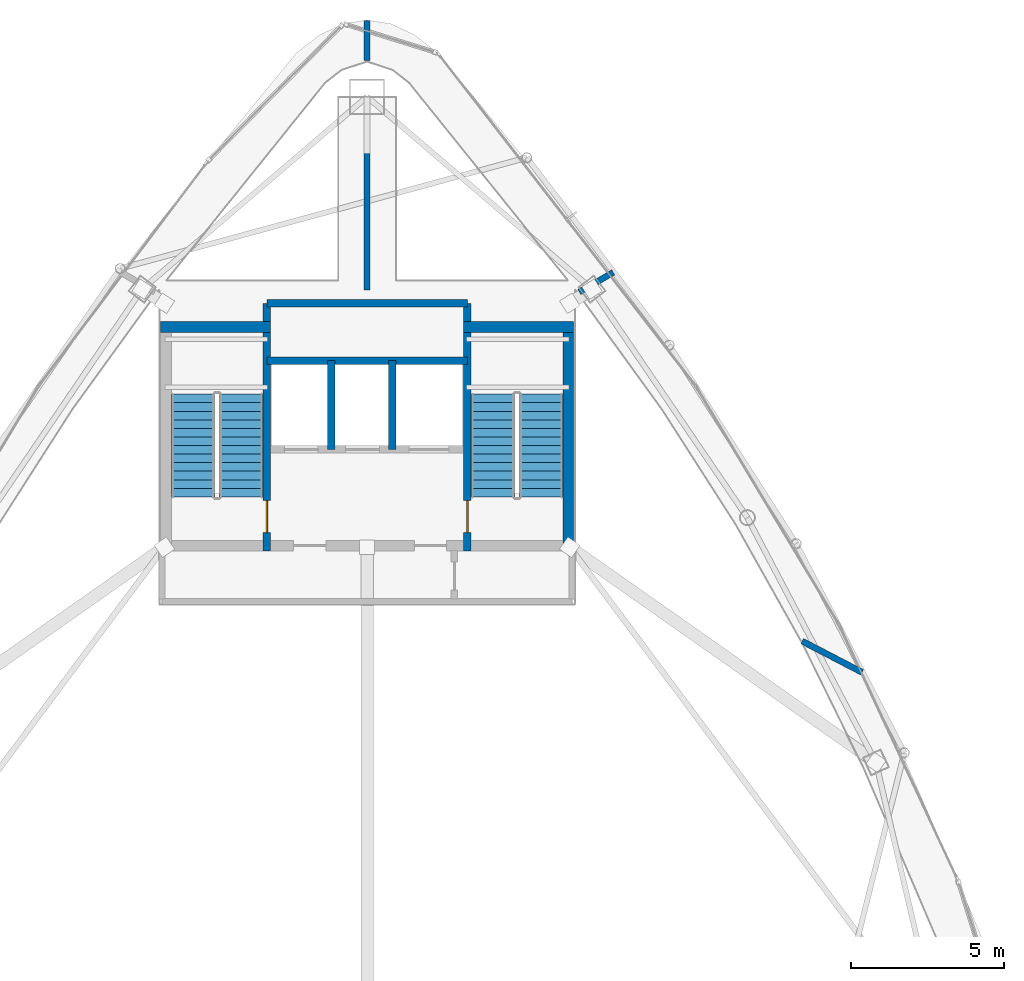
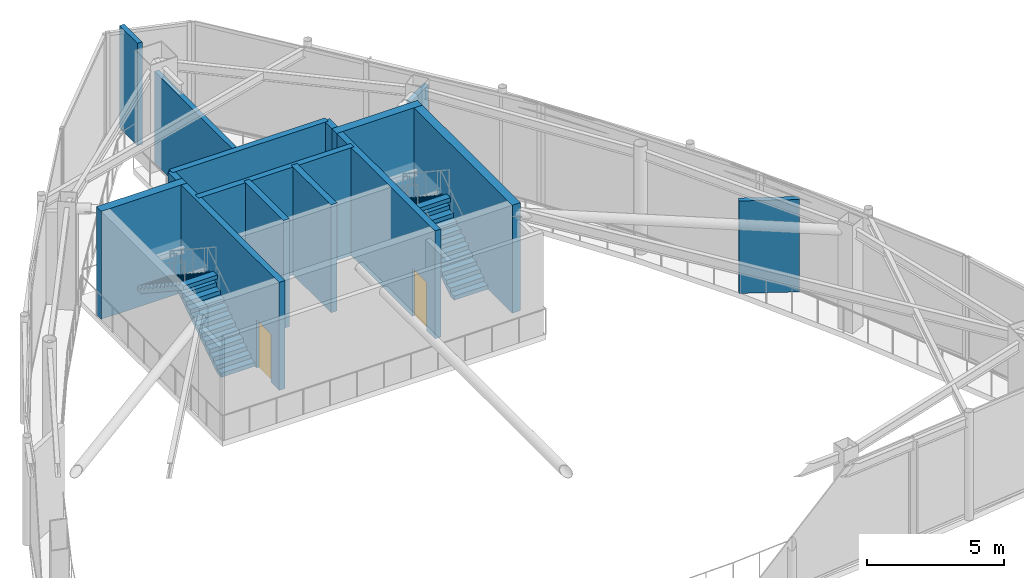
# One storey, part 17 of 20: 13 walls, 4 stair flights, 2 doors, 2 openings, 2 elements without a shape of their own.
"""IFC4 building model written with IfcOpenShell, lengths in metres."""

from ifc_helpers import new_model, si_unit, direction, frame, frame_2d, origin, place, context, subcontext, project, spatial, polyline, rectangle, outline, extrude, material, layer, layer_set, type_object, element, fill, aggregate, save


model = new_model("IFC4")

# Units and contexts
model_context = context("Model", 3, precision=1e-05, world=origin(), true_north=direction((0.0, 1.0)))
body_context = subcontext(model_context, "Body", "Model", "MODEL_VIEW")
ifc_project = project(units=[si_unit("LENGTHUNIT", "METRE"), si_unit("AREAUNIT", "SQUARE_METRE"), si_unit("VOLUMEUNIT", "CUBIC_METRE"), si_unit("PLANEANGLEUNIT", "RADIAN"), si_unit("MASSUNIT", "GRAM", prefix="KILO")], contexts=[model_context])

# Site, building, storey
site_placement = place(None, origin())
site = spatial("IfcSite", under=ifc_project, at=site_placement, CompositionType="ELEMENT")
building_placement = place(site_placement, origin())
building = spatial("IfcBuilding", under=site, at=building_placement, Name="Orvanel Arch Residences", CompositionType="ELEMENT")
storey_placement = place(building_placement, frame((0.0, 0.0, 305.300048828125)))
storey = spatial("IfcBuildingStorey", under=building, at=storey_placement, Name="L85", CompositionType="ELEMENT", Elevation=305.300048828125)

# Wall, opening, door
ifc_material_1 = material(Name="Concrete N50 (50 MPa)", Category="concrete")
ifc_layer_1 = layer(ifc_material_1, 0.25)
ifc_layer_set_1 = layer_set([ifc_layer_1], Name="Concrete N50 (50 MPa)")
wall_type_1 = type_object("IfcWallType", Name="SW-CORE-250", PredefinedType="SHEAR", material=ifc_layer_set_1)
wall_1_placement = place(storey_placement, frame((29.72509765625, 26.550048828125, 0.0), z_axis=(0.0, 0.0, 1.0), x_axis=(0.0, 1.0, 0.0)))
wall_1 = element("IfcWall", 1, at=wall_1_placement, inside=storey, type_object=wall_type_1, Name="L85 West Inner Core Spine Shear Wall", PredefinedType="SHEAR", context=body_context, shape_type="SweptSolid", body=[
    extrude(rectangle(XDim=8.099853515625, YDim=0.25, at=frame_2d((4.0498046875, 0.0))), origin(), (0.0, 0.0, 1.0), 4.800048828125),
])
opening_1_placement = place(wall_1_placement, frame((0.60009765625, 0.0, 0.0)))
opening_1 = element("IfcOpeningElement", 2, at=opening_1_placement, cuts=wall_1, Name="Opening DF-120", PredefinedType="OPENING", context=body_context, shape_type="SweptSolid", body=[
    extrude(rectangle(XDim=1.050048828125, YDim=2.14990234375, at=frame_2d((0.52490234375, 1.074951171875))), frame((0.0, 0.135009765625, 0.0), z_axis=(0.0, -1.0, 0.0), x_axis=(1.0, 0.0, 0.0)), (0.0, 0.0, 1.0), 0.27001953125),
])
ifc_material_2 = material(Name="Galvanised steel fire-resisting door assembly", Category="steel")
door_type = type_object("IfcDoorType", Name="DR-FD120-1050", OperationType="NOTDEFINED", PredefinedType="DOOR", material=ifc_material_2)
door_1_placement = place(opening_1_placement, origin())
door_1 = element("IfcDoor", 3, at=door_1_placement, inside=storey, type_object=door_type, Name="DR-L85-ST1 L85 Stair 1 Fire Door", OperationType="SINGLE_SWING_LEFT", OverallHeight=2.14990234375, OverallWidth=1.050048828125, PredefinedType="DOOR", context=body_context, shape_type="SweptSolid", body=[
    extrude(rectangle(XDim=1.050048828125, YDim=2.14990234375, at=frame_2d((0.52490234375, 1.074951171875))), frame((0.0, 0.02490234375, 0.0), z_axis=(0.0, -1.0, 0.0), x_axis=(1.0, 0.0, 0.0)), (0.0, 0.0, 1.0), 0.050048828125),
])
fill(opening_1, door_1)

wall_2_placement = place(storey_placement, frame((36.27490234375, 26.550048828125, 0.0), z_axis=(0.0, 0.0, 1.0), x_axis=(0.0, 1.0, 0.0)))
wall_2 = element("IfcWall", 4, at=wall_2_placement, inside=storey, type_object=wall_type_1, Name="L85 East Inner Core Spine Shear Wall", PredefinedType="SHEAR", context=body_context, shape_type="SweptSolid", body=[
    extrude(rectangle(XDim=8.099853515625, YDim=0.25, at=frame_2d((4.0498046875, 0.0))), origin(), (0.0, 0.0, 1.0), 4.800048828125),
])
opening_2_placement = place(wall_2_placement, frame((0.60009765625, 0.0, 0.0)))
opening_2 = element("IfcOpeningElement", 5, at=opening_2_placement, cuts=wall_2, Name="Opening DF-120", PredefinedType="OPENING", context=body_context, shape_type="SweptSolid", body=[
    extrude(rectangle(XDim=1.050048828125, YDim=2.14990234375, at=frame_2d((0.52490234375, 1.074951171875))), frame((0.0, 0.135009765625, 0.0), z_axis=(0.0, -1.0, 0.0), x_axis=(1.0, 0.0, 0.0)), (0.0, 0.0, 1.0), 0.27001953125),
])
door_2_placement = place(opening_2_placement, origin())
door_2 = element("IfcDoor", 6, at=door_2_placement, inside=storey, type_object=door_type, Name="DR-L85-ST2 L85 Stair 2 Fire Door", OperationType="SINGLE_SWING_RIGHT", OverallHeight=2.14990234375, OverallWidth=1.050048828125, PredefinedType="DOOR", context=body_context, shape_type="SweptSolid", body=[
    extrude(rectangle(XDim=1.050048828125, YDim=2.14990234375, at=frame_2d((0.52490234375, 1.074951171875))), frame((0.0, 0.02490234375, 0.0), z_axis=(0.0, -1.0, 0.0), x_axis=(1.0, 0.0, 0.0)), (0.0, 0.0, 1.0), 0.050048828125),
])
fill(opening_2, door_2)

# Walls
wall_3_placement = place(storey_placement, frame((29.72509765625, 32.77490234375, 0.0), z_axis=(0.0, 0.0, 1.0), x_axis=(1.0, 0.0, 0.0)))
element("IfcWall", 7, at=wall_3_placement, inside=storey, type_object=wall_type_1, Name="L85 Emergency Lift Back Core Shear Wall", PredefinedType="SHEAR", context=body_context, shape_type="SweptSolid", body=[
    extrude(rectangle(XDim=6.5498046875, YDim=0.25, at=frame_2d((3.27490234375, 0.0))), origin(), (0.0, 0.0, 1.0), 4.800048828125),
])
for number, where, z_axis, x_axis, name in (
    (8, (31.824951171875, 29.875, 0.0), (0.0, 0.0, 1.0), (0.0, 1.0, 0.0), "L85 Emergency Lift Inter-Shaft Wall F12"),
    (9, (33.824951171875, 29.875, 0.0), (0.0, 0.0, 1.0), (0.0, 1.0, 0.0), "L85 Emergency Lift Inter-Shaft Wall F2G"),
):
    element("IfcWall", number, at=place(storey_placement, frame(where, z_axis=z_axis, x_axis=x_axis)), inside=storey, type_object=wall_type_1, Name=name, PredefinedType="SHEAR", context=body_context, shape_type="SweptSolid", body=[
        extrude(rectangle(XDim=2.89990234375, YDim=0.25, at=frame_2d((1.449951171875, 0.0))), origin(), (0.0, 0.0, 1.0), 4.800048828125),
    ])
wall_4_placement = place(storey_placement, frame((29.72509765625, 34.64990234375, 0.0), z_axis=(0.0, 0.0, 1.0), x_axis=(1.0, 0.0, 0.0)))
element("IfcWall", 10, at=wall_4_placement, inside=storey, type_object=wall_type_1, Name="L85 Core Service Band North Shear Wall", PredefinedType="SHEAR", context=body_context, shape_type="SweptSolid", body=[
    extrude(rectangle(XDim=6.5498046875, YDim=0.25, at=frame_2d((3.27490234375, 0.0))), origin(), (0.0, 0.0, 1.0), 4.800048828125),
])
ifc_layer_2 = layer(ifc_material_1, 0.35009765625)
ifc_layer_set_2 = layer_set([ifc_layer_2], Name="Concrete N50 (50 MPa)")
wall_type_2 = type_object("IfcWallType", Name="SW-CORE-350", PredefinedType="SHEAR", material=ifc_layer_set_2)
wall_5_placement = place(storey_placement, frame((26.25, 33.875, 0.0), z_axis=(0.0, 0.0, 1.0), x_axis=(1.0, 0.0, 0.0)))
element("IfcWall", 11, at=wall_5_placement, inside=storey, type_object=wall_type_2, Name="L85 West Stair North Shear Wall", PredefinedType="SHEAR", context=body_context, shape_type="SweptSolid", body=[
    extrude(rectangle(XDim=3.60009765625, YDim=0.35009765625, at=frame_2d((1.800048828125, 0.0))), origin(), (0.0, 0.0, 1.0), 4.800048828125),
])
wall_6_placement = place(storey_placement, frame((39.574951171875, 26.550048828125, 0.0), z_axis=(0.0, 0.0, 1.0), x_axis=(0.0, 1.0, 0.0)))
element("IfcWall", 12, at=wall_6_placement, inside=storey, type_object=wall_type_2, Name="L85 East Stair Shear Wall", PredefinedType="SHEAR", context=body_context, shape_type="SweptSolid", body=[
    extrude(rectangle(XDim=7.5, YDim=0.35009765625, at=frame_2d((3.75, 0.0))), origin(), (0.0, 0.0, 1.0), 4.800048828125),
])
wall_7_placement = place(storey_placement, frame((36.14990234375, 33.875, 0.0), z_axis=(0.0, 0.0, 1.0), x_axis=(1.0, 0.0, 0.0)))
element("IfcWall", 13, at=wall_7_placement, inside=storey, type_object=wall_type_2, Name="L85 East Stair North Shear Wall", PredefinedType="SHEAR", context=body_context, shape_type="SweptSolid", body=[
    extrude(rectangle(XDim=3.60009765625, YDim=0.35009765625, at=frame_2d((1.800048828125, 0.0))), origin(), (0.0, 0.0, 1.0), 4.800048828125),
])
ifc_material_3 = material(Name="Fire-rated plasterboard lined steel stud partition", Category="steel")
ifc_layer_3 = layer(ifc_material_3, 0.199951171875)
ifc_layer_set_3 = layer_set([ifc_layer_3], Name="Fire-rated plasterboard lined steel stud partition")
wall_type_3 = type_object("IfcWallType", Name="W-PLT-200", PredefinedType="PARTITIONING", material=ifc_layer_set_3)
wall_8_placement = place(storey_placement, frame((33.0, 35.089111328125, 0.0), z_axis=(0.0, 0.0, 1.0), x_axis=(0.0, 1.0, 0.0)))
element("IfcWall", 14, at=wall_8_placement, inside=storey, type_object=wall_type_3, Name="L85 Crown Catwalk Smoke Baffle Wall 1", PredefinedType="PARTITIONING", context=body_context, shape_type="SweptSolid", body=[
    extrude(rectangle(XDim=6.269775390625, YDim=0.199951171875, at=frame_2d((3.134765625, 0.0))), origin(), (0.0, 0.0, 1.0), 4.054931640625),
])
wall_9_placement = place(storey_placement, frame((33.0, 42.58203125, 0.0), z_axis=(0.0, 0.0, 1.0), x_axis=(0.0, 1.0, 0.0)))
element("IfcWall", 15, at=wall_9_placement, inside=storey, type_object=wall_type_3, Name="L85 Crown Catwalk Smoke Baffle Wall 1", PredefinedType="PARTITIONING", context=body_context, shape_type="SweptSolid", body=[
    extrude(rectangle(XDim=1.31201171875, YDim=0.199951171875, at=frame_2d((0.656005859375, 0.0))), origin(), (0.0, 0.0, 1.0), 4.550048828125),
])
wall_10_placement = place(storey_placement, frame((47.220947265625, 23.60498046875, 0.0), z_axis=(0.0, 0.0, 1.0), x_axis=(0.887140685261, -0.461499084024, 0.0)))
element("IfcWall", 16, at=wall_10_placement, inside=storey, type_object=wall_type_3, Name="L85 Crown Catwalk Smoke Baffle Wall 3", PredefinedType="PARTITIONING", context=body_context, shape_type="SweptSolid", body=[
    extrude(rectangle(XDim=2.2060546875, YDim=0.199951171875, at=frame_2d((1.10302734375, 0.0))), origin(), (0.0, 0.0, 1.0), 4.10888671875),
])
wall_11_placement = place(storey_placement, frame((39.93896484375, 35.01708984375, 0.0), z_axis=(0.0, 0.0, 1.0), x_axis=(0.865191492793, 0.501441602581, 0.0)))
element("IfcWall", 17, at=wall_11_placement, inside=storey, type_object=wall_type_3, Name="L85 Crown Catwalk Smoke Baffle Wall 5", PredefinedType="PARTITIONING", context=body_context, shape_type="SweptSolid", body=[
    extrude(rectangle(XDim=1.281982421875, YDim=0.199951171875, at=frame_2d((0.64111328125, 0.0))), origin(), (0.0, 0.0, 1.0), 4.10888671875),
])

# Stair, stair flights
ifc_material_4 = material(Name="Precast concrete N50 (50 MPa)", Category="concrete")
stair_type = type_object("IfcStairType", Name="STR-DOG-184", PredefinedType="USERDEFINED", material=ifc_material_4)
stair_1_placement = place(storey_placement, origin())
stair_1 = element("IfcStair", 18, at=stair_1_placement, inside=storey, type_object=stair_type, Name="L85 Fire-Isolated Core Exit Stair 1", ObjectType="TWO_RETURN_STAIR", PredefinedType="USERDEFINED")
stair_flight_type_1 = type_object("IfcStairFlightType", Name="SFL-C1-184", PredefinedType="STRAIGHT", material=ifc_material_4)
stair_flight_1_placement = place(storey_placement, frame((28.889892578125, 28.320068359375, 0.0), z_axis=(0.0, 0.0, 1.0), x_axis=(0.0, 1.0, 0.0)))
stair_flight_1 = element("IfcStairFlight", 19, at=stair_flight_1_placement, type_object=stair_flight_type_1, Name="ST-1 flight 1", NumberOfRisers=13, NumberOfTreads=12, PredefinedType="STRAIGHT", RiserHeight=0.184615385, TreadLength=0.28, context=body_context, shape_type="SweptSolid", body=[
    extrude(outline(polyline([(0.0, 0.0), (0.0, 0.1845703125), (0.280029296875, 0.1845703125), (0.280029296875, 0.369140625), (0.56005859375, 0.369140625), (0.56005859375, 0.553955078125), (0.840087890625, 0.553955078125), (0.840087890625, 0.738525390625), (1.1201171875, 0.738525390625), (1.1201171875, 0.923095703125), (1.39990234375, 0.923095703125), (1.39990234375, 1.107666015625), (1.679931640625, 1.107666015625), (1.679931640625, 1.292236328125), (1.9599609375, 1.292236328125), (1.9599609375, 1.476806640625), (2.239990234375, 1.476806640625), (2.239990234375, 1.66162109375), (2.52001953125, 1.66162109375), (2.52001953125, 1.84619140625), (2.800048828125, 1.84619140625), (2.800048828125, 2.03076171875), (3.080078125, 2.03076171875), (3.080078125, 2.21533203125), (3.360107421875, 2.21533203125), (3.360107421875, 2.39990234375), (3.360107421875, 2.035888671875), (0.272216796875, 0.0), (0.0, 0.0)])), frame((0.0, 0.7099609375, 0.0), z_axis=(0.0, -1.0, 0.0), x_axis=(1.0, 0.0, 0.0)), (0.0, 0.0, 1.0), 1.419921875),
])
stair_flight_2_placement = place(storey_placement, frame((27.31005859375, 31.679931640625, 2.39990234375), z_axis=(0.0, 0.0, 1.0), x_axis=(0.0, -1.0, 0.0)))
stair_flight_2 = element("IfcStairFlight", 20, at=stair_flight_2_placement, type_object=stair_flight_type_1, Name="ST-1 flight 2", NumberOfRisers=13, NumberOfTreads=12, PredefinedType="STRAIGHT", RiserHeight=0.184615385, TreadLength=0.28, context=body_context, shape_type="SweptSolid", body=[
    extrude(outline(polyline([(0.0, 0.0), (0.0, 0.1845703125), (0.280029296875, 0.1845703125), (0.280029296875, 0.369140625), (0.56005859375, 0.369140625), (0.56005859375, 0.553955078125), (0.840087890625, 0.553955078125), (0.840087890625, 0.738525390625), (1.1201171875, 0.738525390625), (1.1201171875, 0.923095703125), (1.39990234375, 0.923095703125), (1.39990234375, 1.107666015625), (1.679931640625, 1.107666015625), (1.679931640625, 1.292236328125), (1.9599609375, 1.292236328125), (1.9599609375, 1.476806640625), (2.239990234375, 1.476806640625), (2.239990234375, 1.66162109375), (2.52001953125, 1.66162109375), (2.52001953125, 1.84619140625), (2.800048828125, 1.84619140625), (2.800048828125, 2.03076171875), (3.080078125, 2.03076171875), (3.080078125, 2.21533203125), (3.360107421875, 2.21533203125), (3.360107421875, 2.39990234375), (3.360107421875, 2.035888671875), (0.272216796875, 0.0), (0.0, 0.0)])), frame((0.0, 0.7099609375, 0.0), z_axis=(0.0, -1.0, 0.0), x_axis=(1.0, 0.0, 0.0)), (0.0, 0.0, 1.0), 1.419921875),
])
aggregate(stair_1, [stair_flight_1, stair_flight_2])

stair_2_placement = place(storey_placement, origin())
stair_2 = element("IfcStair", 21, at=stair_2_placement, inside=storey, type_object=stair_type, Name="L85 Fire-Isolated Core Exit Stair 2", ObjectType="TWO_RETURN_STAIR", PredefinedType="USERDEFINED")
stair_flight_type_2 = type_object("IfcStairFlightType", Name="SFL-C2-184", PredefinedType="STRAIGHT", material=ifc_material_4)
stair_flight_3_placement = place(storey_placement, frame((38.68994140625, 28.320068359375, 0.0), z_axis=(0.0, 0.0, 1.0), x_axis=(0.0, 1.0, 0.0)))
stair_flight_3 = element("IfcStairFlight", 22, at=stair_flight_3_placement, type_object=stair_flight_type_2, Name="ST-2 flight 1", NumberOfRisers=13, NumberOfTreads=12, PredefinedType="STRAIGHT", RiserHeight=0.184615385, TreadLength=0.28, context=body_context, shape_type="SweptSolid", body=[
    extrude(outline(polyline([(0.0, 0.0), (0.0, 0.1845703125), (0.280029296875, 0.1845703125), (0.280029296875, 0.369140625), (0.56005859375, 0.369140625), (0.56005859375, 0.553955078125), (0.840087890625, 0.553955078125), (0.840087890625, 0.738525390625), (1.1201171875, 0.738525390625), (1.1201171875, 0.923095703125), (1.39990234375, 0.923095703125), (1.39990234375, 1.107666015625), (1.679931640625, 1.107666015625), (1.679931640625, 1.292236328125), (1.9599609375, 1.292236328125), (1.9599609375, 1.476806640625), (2.239990234375, 1.476806640625), (2.239990234375, 1.66162109375), (2.52001953125, 1.66162109375), (2.52001953125, 1.84619140625), (2.800048828125, 1.84619140625), (2.800048828125, 2.03076171875), (3.080078125, 2.03076171875), (3.080078125, 2.21533203125), (3.360107421875, 2.21533203125), (3.360107421875, 2.39990234375), (3.360107421875, 2.035888671875), (0.272216796875, 0.0), (0.0, 0.0)])), frame((0.0, 0.7099609375, 0.0), z_axis=(0.0, -1.0, 0.0), x_axis=(1.0, 0.0, 0.0)), (0.0, 0.0, 1.0), 1.419921875),
])
stair_flight_4_placement = place(storey_placement, frame((37.110107421875, 31.679931640625, 2.39990234375), z_axis=(0.0, 0.0, 1.0), x_axis=(0.0, -1.0, 0.0)))
stair_flight_4 = element("IfcStairFlight", 23, at=stair_flight_4_placement, type_object=stair_flight_type_2, Name="ST-2 flight 2", NumberOfRisers=13, NumberOfTreads=12, PredefinedType="STRAIGHT", RiserHeight=0.184615385, TreadLength=0.28, context=body_context, shape_type="SweptSolid", body=[
    extrude(outline(polyline([(0.0, 0.0), (0.0, 0.1845703125), (0.280029296875, 0.1845703125), (0.280029296875, 0.369140625), (0.56005859375, 0.369140625), (0.56005859375, 0.553955078125), (0.840087890625, 0.553955078125), (0.840087890625, 0.738525390625), (1.1201171875, 0.738525390625), (1.1201171875, 0.923095703125), (1.39990234375, 0.923095703125), (1.39990234375, 1.107666015625), (1.679931640625, 1.107666015625), (1.679931640625, 1.292236328125), (1.9599609375, 1.292236328125), (1.9599609375, 1.476806640625), (2.239990234375, 1.476806640625), (2.239990234375, 1.66162109375), (2.52001953125, 1.66162109375), (2.52001953125, 1.84619140625), (2.800048828125, 1.84619140625), (2.800048828125, 2.03076171875), (3.080078125, 2.03076171875), (3.080078125, 2.21533203125), (3.360107421875, 2.21533203125), (3.360107421875, 2.39990234375), (3.360107421875, 2.035888671875), (0.272216796875, 0.0), (0.0, 0.0)])), frame((0.0, 0.7099609375, 0.0), z_axis=(0.0, -1.0, 0.0), x_axis=(1.0, 0.0, 0.0)), (0.0, 0.0, 1.0), 1.419921875),
])
aggregate(stair_2, [stair_flight_3, stair_flight_4])

save(model, "model.ifc")
